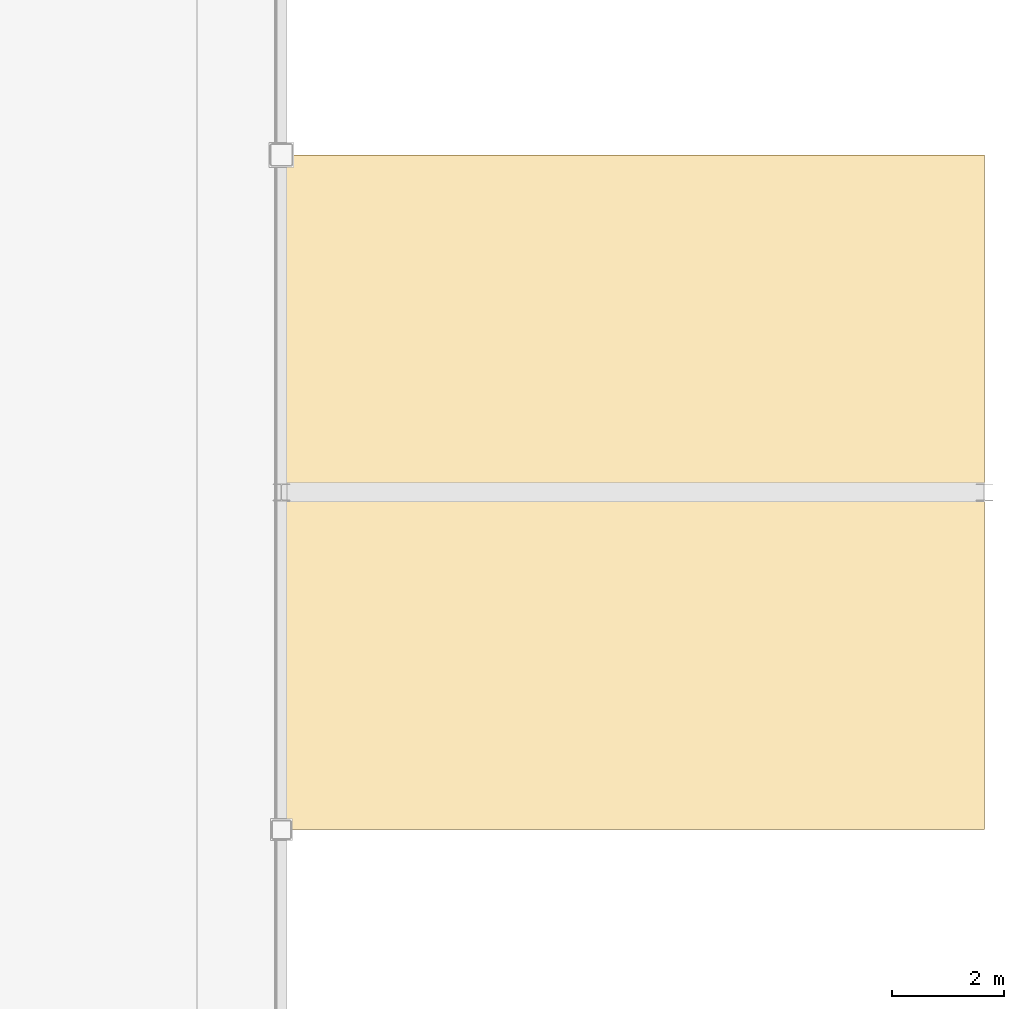
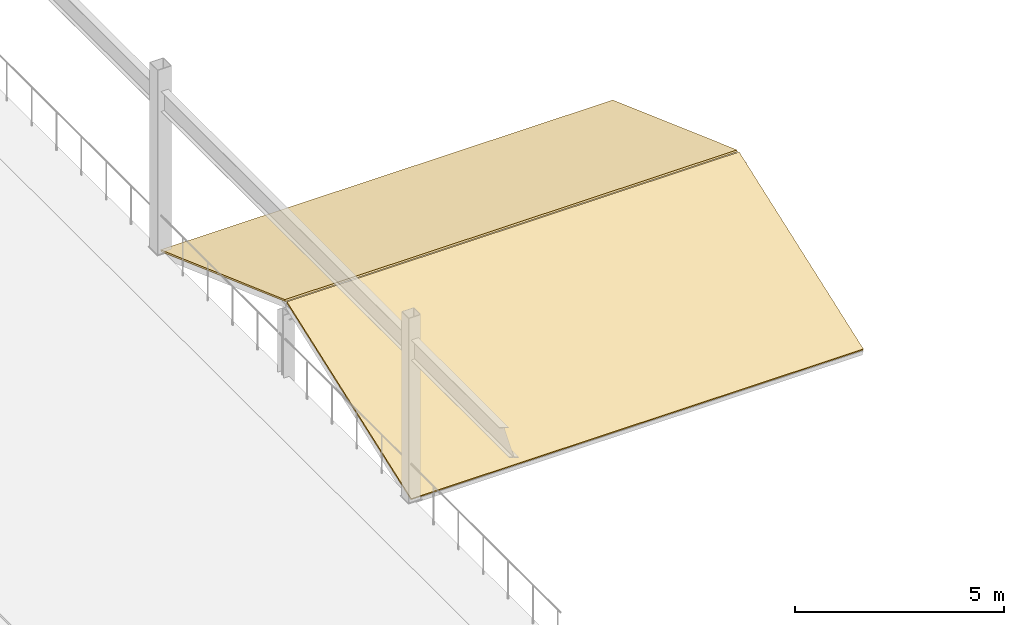
# One storey, part 99 of 105: 2 coverings.
"""IFC4 building model written with IfcOpenShell, lengths in metres."""

from ifc_helpers import new_model, si_unit, direction, frame, origin, place, context, subcontext, project, spatial, polyline, outline, extrude, material, layer, layer_set, type_object, element, save


model = new_model("IFC4")

# Units and contexts
model_context = context("Model", 3, precision=1e-05, world=origin(), true_north=direction((0.0, 1.0)))
body_context = subcontext(model_context, "Body", "Model", "MODEL_VIEW")
ifc_project = project(units=[si_unit("LENGTHUNIT", "METRE"), si_unit("AREAUNIT", "SQUARE_METRE"), si_unit("VOLUMEUNIT", "CUBIC_METRE"), si_unit("PLANEANGLEUNIT", "RADIAN"), si_unit("MASSUNIT", "GRAM", prefix="KILO")], contexts=[model_context])

# Site, building, storey
site_placement = place(None, origin())
site = spatial("IfcSite", under=ifc_project, at=site_placement, CompositionType="ELEMENT")
building_placement = place(site_placement, origin())
building = spatial("IfcBuilding", under=site, at=building_placement, Name="Kazenohara Klinker Stadium", CompositionType="ELEMENT")
storey_placement = place(building_placement, frame((0.0, 0.0, 20.39990234375)))
storey = spatial("IfcBuildingStorey", under=building, at=storey_placement, Name="L04", CompositionType="ELEMENT", Elevation=20.39990234375)

# Coverings
ifc_material = material(Name="Insulated standing-seam copper roofing", Category="metal")
ifc_layer = layer(ifc_material, 0.050048828125)
ifc_layer_set = layer_set([ifc_layer], Name="Insulated standing-seam copper roofing")
covering_type = type_object("IfcCoveringType", Name="COV-ROOF-01", PredefinedType="ROOFING", material=ifc_layer_set)
for number, where, z_axis, x_axis, name in (
    (1, (187.5, 96.0, -0.02978515625), (0.0, -0.3398274788, 0.940487790805), (1.0, 0.0, 0.0), "Standing-seam copper stepped wing roofing L04-A 16/J"),
    (2, (187.5, 102.050048828125, 2.1201171875), (0.0, 0.3398274788, 0.940487790805), (1.0, 0.0, 0.0), "Standing-seam copper stepped wing roofing L04-B 16/J"),
):
    element("IfcCovering", number, at=place(storey_placement, frame(where, z_axis=z_axis, x_axis=x_axis)), inside=storey, type_object=covering_type, Name=name, PredefinedType="ROOFING", context=body_context, shape_type="SweptSolid", body=[
        extrude(outline(polyline([(0.0, 0.0), (12.5, 0.0), (12.5, 6.326452326174476), (0.0, 6.326452326174476), (0.0, 0.0)])), origin(), (0.0, 0.0, -1.0), 0.050048828125),
    ])

save(model, "model.ifc")
